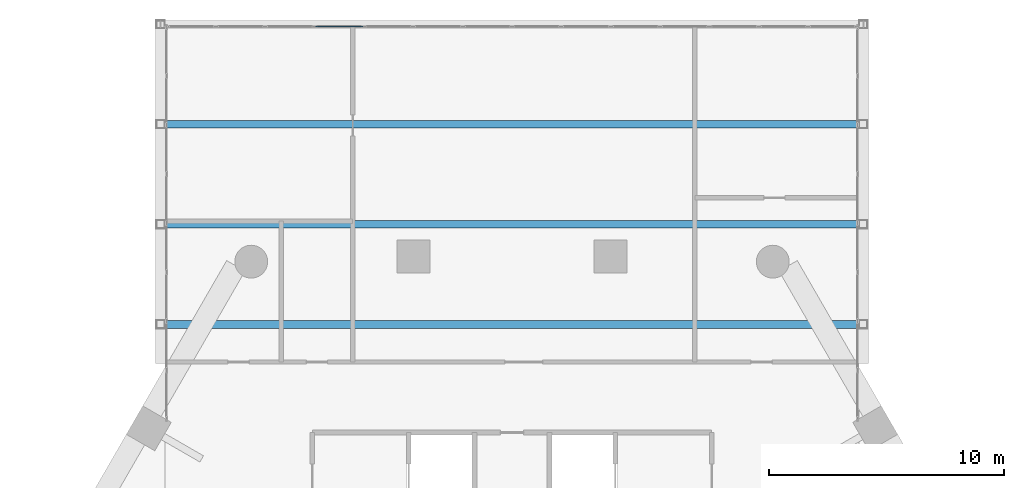
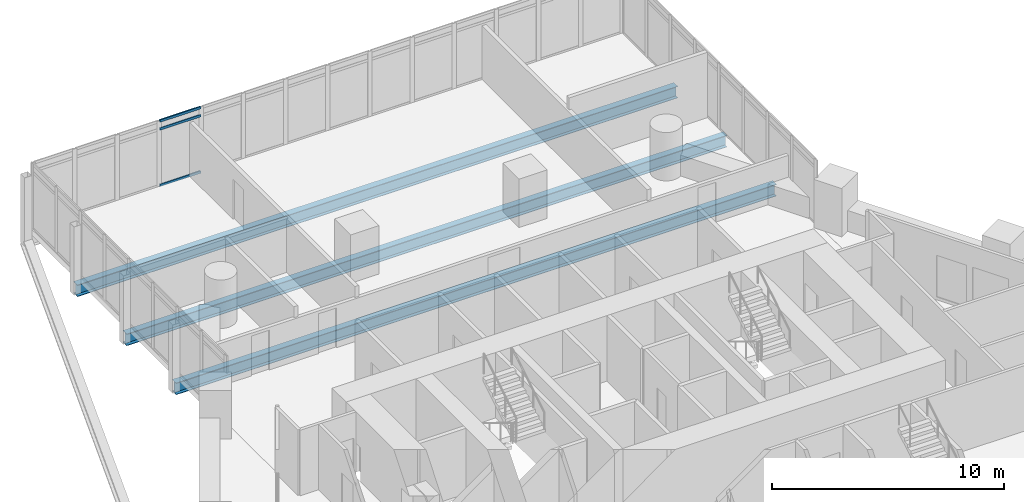
# One storey, part 19 of 38: 3 beams, 3 members, 1 element without a shape of its own.
"""IFC4 building model written with IfcOpenShell, lengths in metres."""

from ifc_helpers import new_model, si_unit, direction, frame, origin, origin_2d, place, context, subcontext, project, spatial, hollow_rectangle, i_section, extrude, material, material_profile, profile_set, type_object, element, aggregate, save


model = new_model("IFC4")

# Units and contexts
model_context = context("Model", 3, precision=1e-05, world=origin(), true_north=direction((0.0, 1.0)))
body_context = subcontext(model_context, "Body", "Model", "MODEL_VIEW")
ifc_project = project(units=[si_unit("LENGTHUNIT", "METRE"), si_unit("AREAUNIT", "SQUARE_METRE"), si_unit("VOLUMEUNIT", "CUBIC_METRE"), si_unit("PLANEANGLEUNIT", "RADIAN"), si_unit("MASSUNIT", "GRAM", prefix="KILO")], contexts=[model_context])

# Site, building, storey
site_placement = place(None, origin())
site = spatial("IfcSite", under=ifc_project, at=site_placement, CompositionType="ELEMENT")
building_placement = place(site_placement, origin())
building = spatial("IfcBuilding", under=site, at=building_placement, Name="Ostrander Bayou Hotel Tower", CompositionType="ELEMENT")
storey_placement = place(building_placement, frame((0.0, 0.0, 65.5)))
storey = spatial("IfcBuildingStorey", under=building, at=storey_placement, Name="L16", CompositionType="ELEMENT", Elevation=65.5)

# Curtain wall, members
ifc_material_1 = material(Name="Aluminium and clear glass", Category="aluminium")
curtain_wall_type = type_object("IfcCurtainWallType", Name="CW-BAR glazed wall", PredefinedType="NOTDEFINED", material=ifc_material_1)
curtain_wall_placement = place(storey_placement, origin())
curtain_wall = element("IfcCurtainWall", 1, at=curtain_wall_placement, inside=storey, type_object=curtain_wall_type, Name="CW-BAR L16:SB1N:T", PredefinedType="NOTDEFINED")
ifc_material_2 = material(Name="Aluminium", Category="aluminium")
ifc_material_profile_1 = material_profile(ifc_material_2, hollow_rectangle(XDim=0.06005859375, YDim=0.1298828125, WallThickness=0.00390625, at=origin_2d()))
ifc_profile_set_1 = profile_set([ifc_material_profile_1], Name="Aluminium")
member_type = type_object("IfcMemberType", Name="CW-BR transom 60 x 130 mm", PredefinedType="USERDEFINED", material=ifc_profile_set_1)
member_1_placement = place(storey_placement, frame((-8.376953125, 30.88623046875, 0.030029296875), z_axis=(1.0, 0.0, 0.0), x_axis=(0.0, 1.0, 0.0)))
member_1 = element("IfcMember", 2, at=member_1_placement, type_object=member_type, Name="CW-BAR transom 4.1", ObjectType="TRANSOM", PredefinedType="USERDEFINED", context=body_context, shape_type="SweptSolid", body=[
    extrude(hollow_rectangle(XDim=0.06005859375, YDim=0.1298828125, WallThickness=0.00390625, at=origin_2d()), origin(), (0.0, 0.0, 1.0), 2.041748046875),
])
member_2_placement = place(storey_placement, frame((-8.376953125, 30.88623046875, 3.0), z_axis=(1.0, 0.0, 0.0), x_axis=(0.0, 1.0, 0.0)))
member_2 = element("IfcMember", 3, at=member_2_placement, type_object=member_type, Name="CW-BAR transom 4.2", ObjectType="TRANSOM", PredefinedType="USERDEFINED", context=body_context, shape_type="SweptSolid", body=[
    extrude(hollow_rectangle(XDim=0.06005859375, YDim=0.1298828125, WallThickness=0.00390625, at=origin_2d()), origin(), (0.0, 0.0, 1.0), 2.041748046875),
])
member_3_placement = place(storey_placement, frame((-8.376953125, 30.88623046875, 3.419921875), z_axis=(1.0, 0.0, 0.0), x_axis=(0.0, 1.0, 0.0)))
member_3 = element("IfcMember", 4, at=member_3_placement, type_object=member_type, Name="CW-BAR transom 4.3", ObjectType="TRANSOM", PredefinedType="USERDEFINED", context=body_context, shape_type="SweptSolid", body=[
    extrude(hollow_rectangle(XDim=0.06005859375, YDim=0.1298828125, WallThickness=0.00390625, at=origin_2d()), origin(), (0.0, 0.0, 1.0), 2.041748046875),
])
aggregate(curtain_wall, [member_1, member_2, member_3])

# Beams
ifc_material_3 = material(Name="Steel ASTM A992", Category="steel")
ifc_material_profile_2 = material_profile(ifc_material_3, i_section(OverallWidth=0.32763671875, OverallDepth=0.621826171875, WebThickness=0.015380859375, FlangeThickness=0.0244140625, at=origin_2d()))
ifc_profile_set_2 = profile_set([ifc_material_profile_2], Name="Steel ASTM A992")
beam_type = type_object("IfcBeamType", Name="TF1 bar floor beam W24x131", PredefinedType="BEAM", material=ifc_profile_set_2)
for number, where, z_axis, x_axis, name in (
    (5, (-14.965087890625, 26.723876953125, -0.61083984375), (1.0, 0.0, 0.0), (0.0, 1.0, 0.0), "TF1 SB1W L1-2"),
    (6, (-14.965087890625, 22.46142578125, -0.61083984375), (1.0, 0.0, 0.0), (0.0, 1.0, 0.0), "TF1 SB1W L1-3"),
    (7, (-14.965087890625, 18.198974609375, -0.61083984375), (1.0, 0.0, 0.0), (0.0, 1.0, 0.0), "TF1 SB1W L1-4"),
):
    element("IfcBeam", number, at=place(storey_placement, frame(where, z_axis=z_axis, x_axis=x_axis)), inside=storey, type_object=beam_type, Name=name, PredefinedType="BEAM", context=body_context, shape_type="SweptSolid", body=[
        extrude(i_section(OverallWidth=0.32763671875, OverallDepth=0.621826171875, WebThickness=0.015380859375, FlangeThickness=0.0244140625, at=origin_2d()), origin(), (0.0, 0.0, 1.0), 29.93017578125),
    ])

save(model, "model.ifc")
